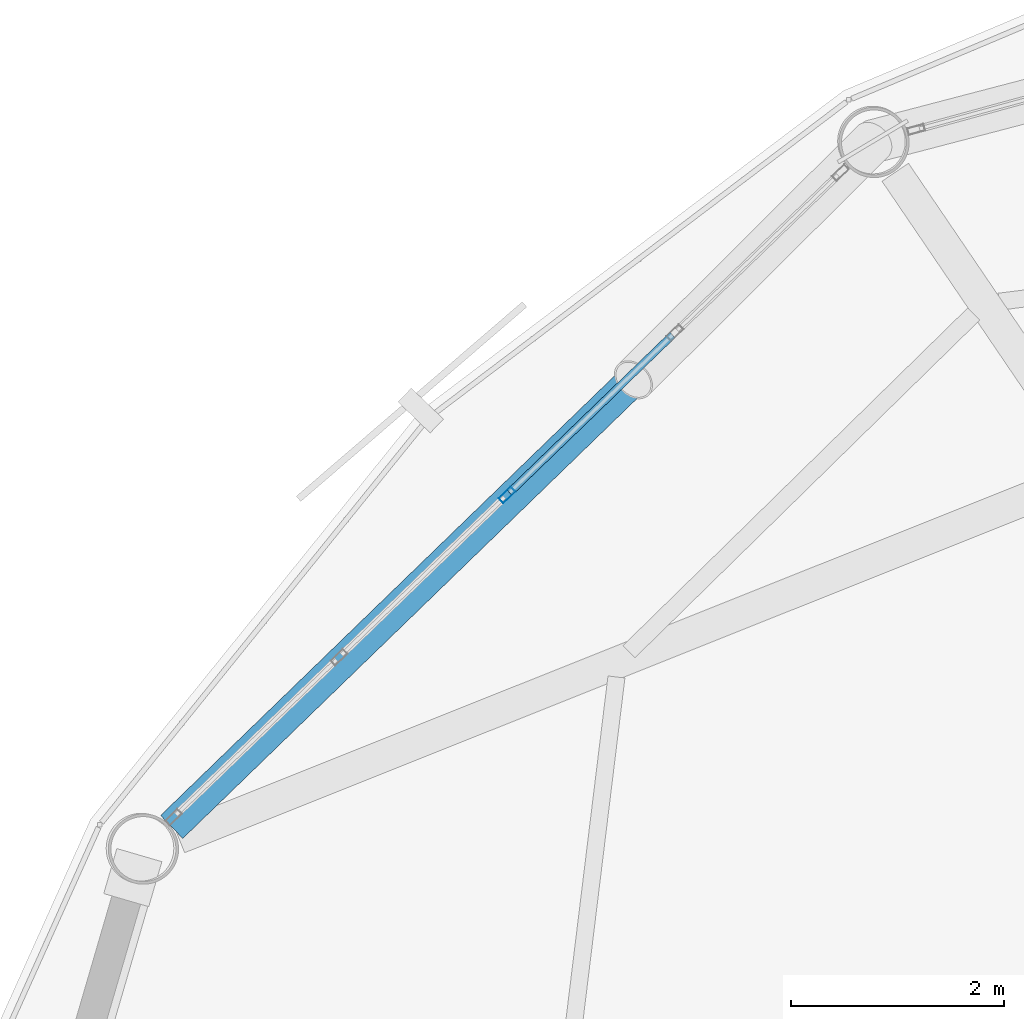
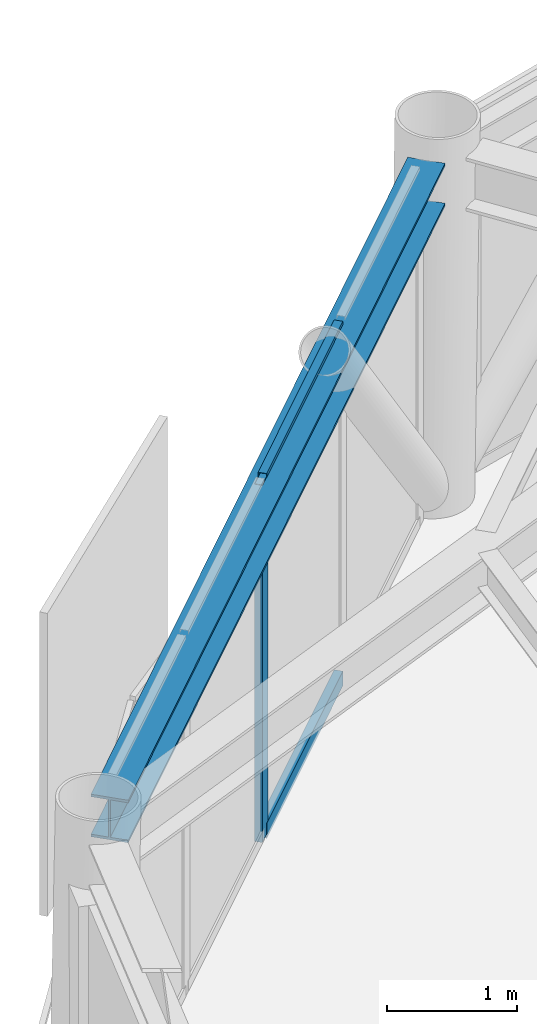
# One storey, part 13 of 28: 3 members, 1 beam, 1 element without a shape of its own.
"""IFC4 building model written with IfcOpenShell, lengths in metres."""

from ifc_helpers import new_model, si_unit, direction, frame, origin, origin_2d, place, context, subcontext, project, spatial, hollow_rectangle, i_section, extrude, material, layer, layer_set, material_profile, profile_set, type_object, element, aggregate, save


model = new_model("IFC4")

# Units and contexts
model_context = context("Model", 3, precision=1e-05, world=origin(), true_north=direction((0.0, 1.0)))
body_context = subcontext(model_context, "Body", "Model", "MODEL_VIEW")
ifc_project = project(units=[si_unit("LENGTHUNIT", "METRE"), si_unit("AREAUNIT", "SQUARE_METRE"), si_unit("VOLUMEUNIT", "CUBIC_METRE"), si_unit("PLANEANGLEUNIT", "RADIAN"), si_unit("MASSUNIT", "GRAM", prefix="KILO")], contexts=[model_context])

# Site, building, storey
site_placement = place(None, origin())
site = spatial("IfcSite", under=ifc_project, at=site_placement, CompositionType="ELEMENT")
building_placement = place(site_placement, origin())
building = spatial("IfcBuilding", under=site, at=building_placement, Name="Varnakorn Sky Granary", CompositionType="ELEMENT")
storey_placement = place(building_placement, frame((0.0, 0.0, 225.60009765625)))
storey = spatial("IfcBuildingStorey", under=building, at=storey_placement, Name="L57", CompositionType="ELEMENT", Elevation=225.60009765625)

# Beam
ifc_material_1 = material(Name="Steel S355JR", Category="steel")
ifc_material_profile_1 = material_profile(ifc_material_1, i_section(OverallWidth=0.300048828125, OverallDepth=0.39990234375, WebThickness=0.013427734375, FlangeThickness=0.02392578125, at=origin_2d()), Name="HE 400 B")
ifc_profile_set_1 = profile_set([ifc_material_profile_1], Name="Steel S355JR")
beam_type = type_object("IfcBeamType", Name="BM-SPD-Z4", PredefinedType="SPANDREL", material=ifc_profile_set_1)
beam_placement = place(storey_placement, frame((-4.725830078125, 15.4619140625, 3.159912109375), z_axis=(-0.71838933823, -0.695641257199, 0.0), x_axis=(0.695641257199, -0.71838933823, 0.0)))
element("IfcBeam", 1, at=beam_placement, inside=storey, type_object=beam_type, Name="Perimeter Spandrel Ring Beam RB05 L57", PredefinedType="SPANDREL", context=body_context, shape_type="SweptSolid", body=[
    extrude(i_section(OverallWidth=0.300048828125, OverallDepth=0.39990234375, WebThickness=0.013427734375, FlangeThickness=0.02392578125, at=origin_2d()), origin(), (0.0, 0.0, 1.0), 8.897216796875),
])

# Curtain wall, members
ifc_material_2 = material(Name="Anodised Bronze Aluminium Alloy 6063-T6", Category="aluminium")
ifc_layer = layer(ifc_material_2, 0.169921875, Name="Anodised Bronze Aluminium Alloy 6063-T6")
ifc_layer_set = layer_set([ifc_layer], Name="Anodised Bronze Aluminium Alloy 6063-T6")
curtain_wall_type = type_object("IfcCurtainWallType", Name="CW-LAB-1", PredefinedType="USERDEFINED", material=ifc_layer_set)
curtain_wall_placement = place(storey_placement, origin())
curtain_wall = element("IfcCurtainWall", 2, at=curtain_wall_placement, inside=storey, type_object=curtain_wall_type, Name="Unitised Curtain Wall CW5 CW-L57-B05", ObjectType="CURTAIN WALL", PredefinedType="USERDEFINED")
ifc_material_profile_2 = material_profile(ifc_material_2, hollow_rectangle(XDim=0.06494140625, YDim=0.159912109375, WallThickness=0.00341796875, at=origin_2d()), Name="ALU MULL 65x160")
ifc_profile_set_2 = profile_set([ifc_material_profile_2], Name="Anodised Bronze Aluminium Alloy 6063-T6")
member_type_1 = type_object("IfcMemberType", Name="CW-LAB-1-MULL", PredefinedType="MULLION", material=ifc_profile_set_2)
member_1_placement = place(storey_placement, frame((-7.968017578125, 12.390625, 0.0), z_axis=(0.0, 0.0, 1.0), x_axis=(-0.695009134591, 0.719000906004, 0.0)))
member_1 = element("IfcMember", 3, at=member_1_placement, type_object=member_type_1, Name="CW5 mullion 3", PredefinedType="MULLION", context=body_context, shape_type="SweptSolid", body=[
    extrude(hollow_rectangle(XDim=0.06494140625, YDim=0.159912109375, WallThickness=0.00341796875, at=origin_2d()), origin(), (0.0, 0.0, 1.0), 3.35986328125),
])
ifc_material_profile_3 = material_profile(ifc_material_2, hollow_rectangle(XDim=0.070068359375, YDim=0.139892578125, WallThickness=0.00341796875, at=origin_2d()), Name="ALU TRAN 70x140")
ifc_profile_set_3 = profile_set([ifc_material_profile_3], Name="Anodised Bronze Aluminium Alloy 6063-T6")
member_type_2 = type_object("IfcMemberType", Name="CW-LAB-1-TRAN", PredefinedType="USERDEFINED", material=ifc_profile_set_3)
member_2_placement = place(storey_placement, frame((-7.94482421875, 12.4130859375, 0.034912109375), z_axis=(0.719047600515, 0.694960824935, 0.0), x_axis=(-0.694960824935, 0.719047600515, 0.0)))
member_2 = element("IfcMember", 4, at=member_2_placement, type_object=member_type_2, Name="CW5 transom 3.1", ObjectType="TRANSOM", PredefinedType="USERDEFINED", context=body_context, shape_type="SweptSolid", body=[
    extrude(hollow_rectangle(XDim=0.070068359375, YDim=0.139892578125, WallThickness=0.00341796875, at=origin_2d()), origin(), (0.0, 0.0, 1.0), 2.12841796875),
])
member_3_placement = place(storey_placement, frame((-7.94482421875, 12.4130859375, 3.324951171875), z_axis=(0.719047600515, 0.694960824935, 0.0), x_axis=(-0.694960824935, 0.719047600515, 0.0)))
member_3 = element("IfcMember", 5, at=member_3_placement, type_object=member_type_2, Name="CW5 transom 3.2", ObjectType="TRANSOM", PredefinedType="USERDEFINED", context=body_context, shape_type="SweptSolid", body=[
    extrude(hollow_rectangle(XDim=0.070068359375, YDim=0.139892578125, WallThickness=0.00341796875, at=origin_2d()), origin(), (0.0, 0.0, 1.0), 2.12841796875),
])
aggregate(curtain_wall, [member_1, member_2, member_3])

save(model, "model.ifc")
